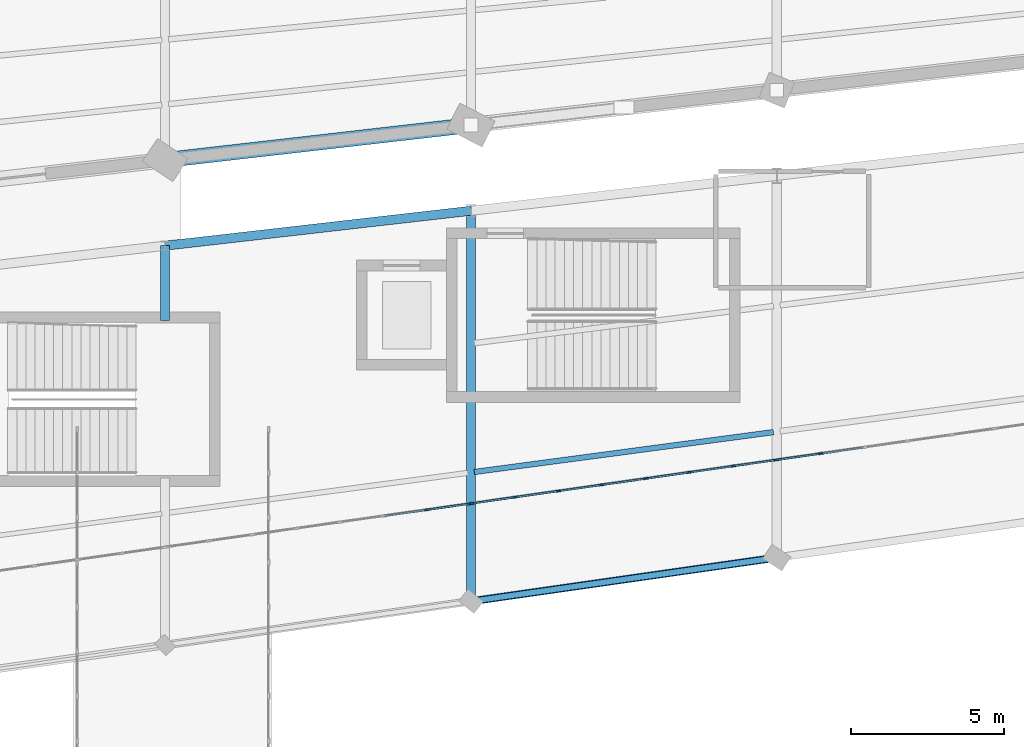
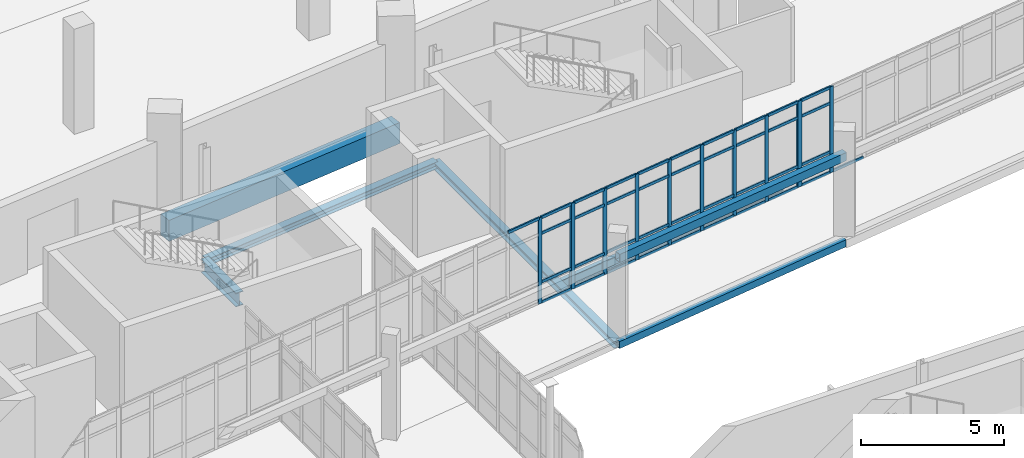
# One storey, part 65 of 122: 50 members, 7 beams, 3 elements without a shape of their own.
"""IFC4 building model written with IfcOpenShell, lengths in metres."""

from ifc_helpers import new_model, si_unit, direction, frame, origin, origin_2d, place, context, subcontext, project, spatial, rectangle, hollow_rectangle, i_section, extrude, material, layer, layer_set, material_profile, profile_set, type_object, element, aggregate, save


model = new_model("IFC4")

# Units and contexts
model_context = context("Model", 3, precision=1e-05, world=origin(), true_north=direction((0.0, 1.0)))
body_context = subcontext(model_context, "Body", "Model", "MODEL_VIEW")
ifc_project = project(units=[si_unit("LENGTHUNIT", "METRE"), si_unit("AREAUNIT", "SQUARE_METRE"), si_unit("VOLUMEUNIT", "CUBIC_METRE"), si_unit("PLANEANGLEUNIT", "RADIAN"), si_unit("MASSUNIT", "GRAM", prefix="KILO")], contexts=[model_context])

# Site, building, storey
site_placement = place(None, origin())
site = spatial("IfcSite", under=ifc_project, at=site_placement, CompositionType="ELEMENT")
building_placement = place(site_placement, origin())
building = spatial("IfcBuilding", under=site, at=building_placement, Name="Sohan Crest Arena", CompositionType="ELEMENT")
storey_placement = place(building_placement, origin())
storey = spatial("IfcBuildingStorey", under=building, at=storey_placement, Name="L00", CompositionType="ELEMENT", Elevation=0.0)

# Curtain wall, members
ifc_material_1 = material(Name="Thermally broken anodised aluminium", Category="aluminium")
ifc_layer = layer(ifc_material_1, 0.179931640625, Name="Thermally broken anodised aluminium")
ifc_layer_set = layer_set([ifc_layer], Name="Thermally broken anodised aluminium")
curtain_wall_type = type_object("IfcCurtainWallType", Name="ARC-CW01", PredefinedType="NOTDEFINED", material=ifc_layer_set)
curtain_wall_1_placement = place(storey_placement, origin())
curtain_wall_1 = element("IfcCurtainWall", 1, at=curtain_wall_1_placement, inside=storey, type_object=curtain_wall_type, Name="Unitised curtain wall CW-011", PredefinedType="NOTDEFINED")
ifc_material_profile_1 = material_profile(ifc_material_1, rectangle(XDim=0.06005859375, YDim=0.159912109375, at=origin_2d()), Name="ALU-MULL 60x160")
ifc_profile_set_1 = profile_set([ifc_material_profile_1], Name="Thermally broken anodised aluminium")
member_type_1 = type_object("IfcMemberType", Name="ARC-CW-ML01", PredefinedType="MULLION", material=ifc_profile_set_1)
member_1_placement = place(storey_placement, frame((146.571533203125, 40.138916015625, 0.0), z_axis=(0.0, 0.0, 1.0), x_axis=(-0.141462933734, 0.989943553128, 0.0)))
member_1 = element("IfcMember", 2, at=member_1_placement, type_object=member_type_1, Name="CW-011 mullion 7", PredefinedType="MULLION", context=body_context, shape_type="SweptSolid", body=[
    extrude(rectangle(XDim=0.06005859375, YDim=0.159912109375, at=origin_2d()), origin(), (0.0, 0.0, 1.0), 3.679931640625),
])
member_2_placement = place(storey_placement, frame((147.97021484375, 40.3388671875, 0.0), z_axis=(0.0, 0.0, 1.0), x_axis=(-0.141462933734, 0.989943553128, 0.0)))
member_2 = element("IfcMember", 3, at=member_2_placement, type_object=member_type_1, Name="CW-011 mullion 8", PredefinedType="MULLION", context=body_context, shape_type="SweptSolid", body=[
    extrude(rectangle(XDim=0.06005859375, YDim=0.159912109375, at=origin_2d()), origin(), (0.0, 0.0, 1.0), 3.679931640625),
])

curtain_wall_2_placement = place(storey_placement, origin())
curtain_wall_2 = element("IfcCurtainWall", 4, at=curtain_wall_2_placement, inside=storey, type_object=curtain_wall_type, Name="Unitised curtain wall CW-012", PredefinedType="NOTDEFINED")
member_3_placement = place(storey_placement, frame((148.02978515625, 40.34716796875, 0.0), z_axis=(0.0, 0.0, 1.0), x_axis=(-0.141365918403, 0.989957411768, 0.0)))
member_3 = element("IfcMember", 5, at=member_3_placement, type_object=member_type_1, Name="CW-012 mullion 1", PredefinedType="MULLION", context=body_context, shape_type="SweptSolid", body=[
    extrude(rectangle(XDim=0.06005859375, YDim=0.159912109375, at=origin_2d()), origin(), (0.0, 0.0, 1.0), 3.679931640625),
])
member_4_placement = place(storey_placement, frame((149.428466796875, 40.547119140625, 0.0), z_axis=(0.0, 0.0, 1.0), x_axis=(-0.141365918403, 0.989957411768, 0.0)))
member_4 = element("IfcMember", 6, at=member_4_placement, type_object=member_type_1, Name="CW-012 mullion 2", PredefinedType="MULLION", context=body_context, shape_type="SweptSolid", body=[
    extrude(rectangle(XDim=0.06005859375, YDim=0.159912109375, at=origin_2d()), origin(), (0.0, 0.0, 1.0), 3.679931640625),
])
member_5_placement = place(storey_placement, frame((150.857177734375, 40.7509765625, 0.0), z_axis=(0.0, 0.0, 1.0), x_axis=(-0.141365918403, 0.989957411768, 0.0)))
member_5 = element("IfcMember", 7, at=member_5_placement, type_object=member_type_1, Name="CW-012 mullion 3", PredefinedType="MULLION", context=body_context, shape_type="SweptSolid", body=[
    extrude(rectangle(XDim=0.06005859375, YDim=0.159912109375, at=origin_2d()), origin(), (0.0, 0.0, 1.0), 3.679931640625),
])
member_6_placement = place(storey_placement, frame((152.28564453125, 40.955078125, 0.0), z_axis=(0.0, 0.0, 1.0), x_axis=(-0.141365918403, 0.989957411768, 0.0)))
member_6 = element("IfcMember", 8, at=member_6_placement, type_object=member_type_1, Name="CW-012 mullion 4", PredefinedType="MULLION", context=body_context, shape_type="SweptSolid", body=[
    extrude(rectangle(XDim=0.06005859375, YDim=0.159912109375, at=origin_2d()), origin(), (0.0, 0.0, 1.0), 3.679931640625),
])
member_7_placement = place(storey_placement, frame((153.71435546875, 41.158935546875, 0.0), z_axis=(0.0, 0.0, 1.0), x_axis=(-0.141365918403, 0.989957411768, 0.0)))
member_7 = element("IfcMember", 9, at=member_7_placement, type_object=member_type_1, Name="CW-012 mullion 5", PredefinedType="MULLION", context=body_context, shape_type="SweptSolid", body=[
    extrude(rectangle(XDim=0.06005859375, YDim=0.159912109375, at=origin_2d()), origin(), (0.0, 0.0, 1.0), 3.679931640625),
])
member_8_placement = place(storey_placement, frame((155.142822265625, 41.363037109375, 0.0), z_axis=(0.0, 0.0, 1.0), x_axis=(-0.141365918403, 0.989957411768, 0.0)))
member_8 = element("IfcMember", 10, at=member_8_placement, type_object=member_type_1, Name="CW-012 mullion 6", PredefinedType="MULLION", context=body_context, shape_type="SweptSolid", body=[
    extrude(rectangle(XDim=0.06005859375, YDim=0.159912109375, at=origin_2d()), origin(), (0.0, 0.0, 1.0), 3.679931640625),
])
member_9_placement = place(storey_placement, frame((156.571533203125, 41.56689453125, 0.0), z_axis=(0.0, 0.0, 1.0), x_axis=(-0.141365918403, 0.989957411768, 0.0)))
member_9 = element("IfcMember", 11, at=member_9_placement, type_object=member_type_1, Name="CW-012 mullion 7", PredefinedType="MULLION", context=body_context, shape_type="SweptSolid", body=[
    extrude(rectangle(XDim=0.06005859375, YDim=0.159912109375, at=origin_2d()), origin(), (0.0, 0.0, 1.0), 3.679931640625),
])
member_10_placement = place(storey_placement, frame((157.97021484375, 41.766845703125, 0.0), z_axis=(0.0, 0.0, 1.0), x_axis=(-0.141365918403, 0.989957411768, 0.0)))
member_10 = element("IfcMember", 12, at=member_10_placement, type_object=member_type_1, Name="CW-012 mullion 8", PredefinedType="MULLION", context=body_context, shape_type="SweptSolid", body=[
    extrude(rectangle(XDim=0.06005859375, YDim=0.159912109375, at=origin_2d()), origin(), (0.0, 0.0, 1.0), 3.679931640625),
])

curtain_wall_3_placement = place(storey_placement, origin())
curtain_wall_3 = element("IfcCurtainWall", 13, at=curtain_wall_3_placement, inside=storey, type_object=curtain_wall_type, Name="Unitised curtain wall CW-013", PredefinedType="NOTDEFINED")
member_11_placement = place(storey_placement, frame((158.02978515625, 41.775146484375, 0.0), z_axis=(0.0, 0.0, 1.0), x_axis=(-0.141462933734, 0.989943553128, 0.0)))
member_11 = element("IfcMember", 14, at=member_11_placement, type_object=member_type_1, Name="CW-013 mullion 1", PredefinedType="MULLION", context=body_context, shape_type="SweptSolid", body=[
    extrude(rectangle(XDim=0.06005859375, YDim=0.159912109375, at=origin_2d()), origin(), (0.0, 0.0, 1.0), 3.679931640625),
])
member_12_placement = place(storey_placement, frame((159.428466796875, 41.97509765625, 0.0), z_axis=(0.0, 0.0, 1.0), x_axis=(-0.141462933734, 0.989943553128, 0.0)))
member_12 = element("IfcMember", 15, at=member_12_placement, type_object=member_type_1, Name="CW-013 mullion 2", PredefinedType="MULLION", context=body_context, shape_type="SweptSolid", body=[
    extrude(rectangle(XDim=0.06005859375, YDim=0.159912109375, at=origin_2d()), origin(), (0.0, 0.0, 1.0), 3.679931640625),
])

# Member
ifc_material_profile_2 = material_profile(ifc_material_1, rectangle(XDim=0.06005859375, YDim=0.1201171875, at=origin_2d()), Name="ALU-TRAN 60x120")
ifc_profile_set_2 = profile_set([ifc_material_profile_2], Name="Thermally broken anodised aluminium")
member_type_2 = type_object("IfcMemberType", Name="ARC-CW-TR01", PredefinedType="USERDEFINED", material=ifc_profile_set_2)
member_13_placement = place(storey_placement, frame((145.172607421875, 39.93896484375, 3.64990234375), z_axis=(0.989953023856, 0.141396642673, 0.0), x_axis=(-0.141396642673, 0.989953023856, 0.0)))
member_13 = element("IfcMember", 16, at=member_13_placement, type_object=member_type_2, Name="CW-011 transom 6.4", ObjectType="TRANSOM", PredefinedType="USERDEFINED", context=body_context, shape_type="SweptSolid", body=[
    extrude(rectangle(XDim=0.06005859375, YDim=0.1201171875, at=origin_2d()), origin(), (0.0, 0.0, 1.0), 1.383056640625),
])

member_14_placement = place(storey_placement, frame((146.60107421875, 40.14306640625, 0.030029296875), z_axis=(0.989945885007, 0.141446614515, 0.0), x_axis=(-0.141446614515, 0.989945885007, 0.0)))
member_14 = element("IfcMember", 17, at=member_14_placement, type_object=member_type_2, Name="CW-011 transom 7.1", ObjectType="TRANSOM", PredefinedType="USERDEFINED", context=body_context, shape_type="SweptSolid", body=[
    extrude(rectangle(XDim=0.06005859375, YDim=0.1201171875, at=origin_2d()), origin(), (0.0, 0.0, 1.0), 1.353271484375),
])

member_15_placement = place(storey_placement, frame((146.60107421875, 40.14306640625, 0.89990234375), z_axis=(0.989945885007, 0.141446614515, 0.0), x_axis=(-0.141446614515, 0.989945885007, 0.0)))
member_15 = element("IfcMember", 18, at=member_15_placement, type_object=member_type_2, Name="CW-011 transom 7.2", ObjectType="TRANSOM", PredefinedType="USERDEFINED", context=body_context, shape_type="SweptSolid", body=[
    extrude(rectangle(XDim=0.06005859375, YDim=0.1201171875, at=origin_2d()), origin(), (0.0, 0.0, 1.0), 1.353271484375),
])

member_16_placement = place(storey_placement, frame((146.60107421875, 40.14306640625, 2.97998046875), z_axis=(0.989945885007, 0.141446614515, 0.0), x_axis=(-0.141446614515, 0.989945885007, 0.0)))
member_16 = element("IfcMember", 19, at=member_16_placement, type_object=member_type_2, Name="CW-011 transom 7.3", ObjectType="TRANSOM", PredefinedType="USERDEFINED", context=body_context, shape_type="SweptSolid", body=[
    extrude(rectangle(XDim=0.06005859375, YDim=0.1201171875, at=origin_2d()), origin(), (0.0, 0.0, 1.0), 1.353271484375),
])

member_17_placement = place(storey_placement, frame((146.60107421875, 40.14306640625, 3.64990234375), z_axis=(0.989945885007, 0.141446614515, 0.0), x_axis=(-0.141446614515, 0.989945885007, 0.0)))
member_17 = element("IfcMember", 20, at=member_17_placement, type_object=member_type_2, Name="CW-011 transom 7.4", ObjectType="TRANSOM", PredefinedType="USERDEFINED", context=body_context, shape_type="SweptSolid", body=[
    extrude(rectangle(XDim=0.06005859375, YDim=0.1201171875, at=origin_2d()), origin(), (0.0, 0.0, 1.0), 1.353271484375),
])

aggregate(curtain_wall_1, [member_1, member_2, member_13, member_14, member_15, member_16, member_17])

member_18_placement = place(storey_placement, frame((148.059326171875, 40.3515625, 0.030029296875), z_axis=(0.989971132604, 0.141269800771, 0.0), x_axis=(-0.141269800771, 0.989971132604, 0.0)))
member_18 = element("IfcMember", 21, at=member_18_placement, type_object=member_type_2, Name="CW-012 transom 1.1", ObjectType="TRANSOM", PredefinedType="USERDEFINED", context=body_context, shape_type="SweptSolid", body=[
    extrude(rectangle(XDim=0.06005859375, YDim=0.1201171875, at=origin_2d()), origin(), (0.0, 0.0, 1.0), 1.353271484375),
])

member_19_placement = place(storey_placement, frame((148.059326171875, 40.3515625, 0.89990234375), z_axis=(0.989971132604, 0.141269800771, 0.0), x_axis=(-0.141269800771, 0.989971132604, 0.0)))
member_19 = element("IfcMember", 22, at=member_19_placement, type_object=member_type_2, Name="CW-012 transom 1.2", ObjectType="TRANSOM", PredefinedType="USERDEFINED", context=body_context, shape_type="SweptSolid", body=[
    extrude(rectangle(XDim=0.06005859375, YDim=0.1201171875, at=origin_2d()), origin(), (0.0, 0.0, 1.0), 1.353271484375),
])

member_20_placement = place(storey_placement, frame((148.059326171875, 40.3515625, 2.97998046875), z_axis=(0.989971132604, 0.141269800771, 0.0), x_axis=(-0.141269800771, 0.989971132604, 0.0)))
member_20 = element("IfcMember", 23, at=member_20_placement, type_object=member_type_2, Name="CW-012 transom 1.3", ObjectType="TRANSOM", PredefinedType="USERDEFINED", context=body_context, shape_type="SweptSolid", body=[
    extrude(rectangle(XDim=0.06005859375, YDim=0.1201171875, at=origin_2d()), origin(), (0.0, 0.0, 1.0), 1.353271484375),
])

member_21_placement = place(storey_placement, frame((148.059326171875, 40.3515625, 3.64990234375), z_axis=(0.989971132604, 0.141269800771, 0.0), x_axis=(-0.141269800771, 0.989971132604, 0.0)))
member_21 = element("IfcMember", 24, at=member_21_placement, type_object=member_type_2, Name="CW-012 transom 1.4", ObjectType="TRANSOM", PredefinedType="USERDEFINED", context=body_context, shape_type="SweptSolid", body=[
    extrude(rectangle(XDim=0.06005859375, YDim=0.1201171875, at=origin_2d()), origin(), (0.0, 0.0, 1.0), 1.353271484375),
])

member_22_placement = place(storey_placement, frame((149.458251953125, 40.55126953125, 0.030029296875), z_axis=(0.989953023856, 0.141396642673, 0.0), x_axis=(-0.141396642673, 0.989953023856, 0.0)))
member_22 = element("IfcMember", 25, at=member_22_placement, type_object=member_type_2, Name="CW-012 transom 2.1", ObjectType="TRANSOM", PredefinedType="USERDEFINED", context=body_context, shape_type="SweptSolid", body=[
    extrude(rectangle(XDim=0.06005859375, YDim=0.1201171875, at=origin_2d()), origin(), (0.0, 0.0, 1.0), 1.383056640625),
])

member_23_placement = place(storey_placement, frame((149.458251953125, 40.55126953125, 0.89990234375), z_axis=(0.989953023856, 0.141396642673, 0.0), x_axis=(-0.141396642673, 0.989953023856, 0.0)))
member_23 = element("IfcMember", 26, at=member_23_placement, type_object=member_type_2, Name="CW-012 transom 2.2", ObjectType="TRANSOM", PredefinedType="USERDEFINED", context=body_context, shape_type="SweptSolid", body=[
    extrude(rectangle(XDim=0.06005859375, YDim=0.1201171875, at=origin_2d()), origin(), (0.0, 0.0, 1.0), 1.383056640625),
])

member_24_placement = place(storey_placement, frame((149.458251953125, 40.55126953125, 2.97998046875), z_axis=(0.989953023856, 0.141396642673, 0.0), x_axis=(-0.141396642673, 0.989953023856, 0.0)))
member_24 = element("IfcMember", 27, at=member_24_placement, type_object=member_type_2, Name="CW-012 transom 2.3", ObjectType="TRANSOM", PredefinedType="USERDEFINED", context=body_context, shape_type="SweptSolid", body=[
    extrude(rectangle(XDim=0.06005859375, YDim=0.1201171875, at=origin_2d()), origin(), (0.0, 0.0, 1.0), 1.383056640625),
])

member_25_placement = place(storey_placement, frame((149.458251953125, 40.55126953125, 3.64990234375), z_axis=(0.989953023856, 0.141396642673, 0.0), x_axis=(-0.141396642673, 0.989953023856, 0.0)))
member_25 = element("IfcMember", 28, at=member_25_placement, type_object=member_type_2, Name="CW-012 transom 2.4", ObjectType="TRANSOM", PredefinedType="USERDEFINED", context=body_context, shape_type="SweptSolid", body=[
    extrude(rectangle(XDim=0.06005859375, YDim=0.1201171875, at=origin_2d()), origin(), (0.0, 0.0, 1.0), 1.383056640625),
])

member_26_placement = place(storey_placement, frame((150.886962890625, 40.755126953125, 0.030029296875), z_axis=(0.989953023856, 0.141396642673, 0.0), x_axis=(-0.141396642673, 0.989953023856, 0.0)))
member_26 = element("IfcMember", 29, at=member_26_placement, type_object=member_type_2, Name="CW-012 transom 3.1", ObjectType="TRANSOM", PredefinedType="USERDEFINED", context=body_context, shape_type="SweptSolid", body=[
    extrude(rectangle(XDim=0.06005859375, YDim=0.1201171875, at=origin_2d()), origin(), (0.0, 0.0, 1.0), 1.383056640625),
])

member_27_placement = place(storey_placement, frame((150.886962890625, 40.755126953125, 0.89990234375), z_axis=(0.989953023856, 0.141396642673, 0.0), x_axis=(-0.141396642673, 0.989953023856, 0.0)))
member_27 = element("IfcMember", 30, at=member_27_placement, type_object=member_type_2, Name="CW-012 transom 3.2", ObjectType="TRANSOM", PredefinedType="USERDEFINED", context=body_context, shape_type="SweptSolid", body=[
    extrude(rectangle(XDim=0.06005859375, YDim=0.1201171875, at=origin_2d()), origin(), (0.0, 0.0, 1.0), 1.383056640625),
])

member_28_placement = place(storey_placement, frame((150.886962890625, 40.755126953125, 2.97998046875), z_axis=(0.989953023856, 0.141396642673, 0.0), x_axis=(-0.141396642673, 0.989953023856, 0.0)))
member_28 = element("IfcMember", 31, at=member_28_placement, type_object=member_type_2, Name="CW-012 transom 3.3", ObjectType="TRANSOM", PredefinedType="USERDEFINED", context=body_context, shape_type="SweptSolid", body=[
    extrude(rectangle(XDim=0.06005859375, YDim=0.1201171875, at=origin_2d()), origin(), (0.0, 0.0, 1.0), 1.383056640625),
])

member_29_placement = place(storey_placement, frame((150.886962890625, 40.755126953125, 3.64990234375), z_axis=(0.989953023856, 0.141396642673, 0.0), x_axis=(-0.141396642673, 0.989953023856, 0.0)))
member_29 = element("IfcMember", 32, at=member_29_placement, type_object=member_type_2, Name="CW-012 transom 3.4", ObjectType="TRANSOM", PredefinedType="USERDEFINED", context=body_context, shape_type="SweptSolid", body=[
    extrude(rectangle(XDim=0.06005859375, YDim=0.1201171875, at=origin_2d()), origin(), (0.0, 0.0, 1.0), 1.383056640625),
])

member_30_placement = place(storey_placement, frame((152.3154296875, 40.959228515625, 0.030029296875), z_axis=(0.989953023856, 0.141396642673, 0.0), x_axis=(-0.141396642673, 0.989953023856, 0.0)))
member_30 = element("IfcMember", 33, at=member_30_placement, type_object=member_type_2, Name="CW-012 transom 4.1", ObjectType="TRANSOM", PredefinedType="USERDEFINED", context=body_context, shape_type="SweptSolid", body=[
    extrude(rectangle(XDim=0.06005859375, YDim=0.1201171875, at=origin_2d()), origin(), (0.0, 0.0, 1.0), 1.383056640625),
])

member_31_placement = place(storey_placement, frame((152.3154296875, 40.959228515625, 0.89990234375), z_axis=(0.989953023856, 0.141396642673, 0.0), x_axis=(-0.141396642673, 0.989953023856, 0.0)))
member_31 = element("IfcMember", 34, at=member_31_placement, type_object=member_type_2, Name="CW-012 transom 4.2", ObjectType="TRANSOM", PredefinedType="USERDEFINED", context=body_context, shape_type="SweptSolid", body=[
    extrude(rectangle(XDim=0.06005859375, YDim=0.1201171875, at=origin_2d()), origin(), (0.0, 0.0, 1.0), 1.383056640625),
])

member_32_placement = place(storey_placement, frame((152.3154296875, 40.959228515625, 2.97998046875), z_axis=(0.989953023856, 0.141396642673, 0.0), x_axis=(-0.141396642673, 0.989953023856, 0.0)))
member_32 = element("IfcMember", 35, at=member_32_placement, type_object=member_type_2, Name="CW-012 transom 4.3", ObjectType="TRANSOM", PredefinedType="USERDEFINED", context=body_context, shape_type="SweptSolid", body=[
    extrude(rectangle(XDim=0.06005859375, YDim=0.1201171875, at=origin_2d()), origin(), (0.0, 0.0, 1.0), 1.383056640625),
])

member_33_placement = place(storey_placement, frame((152.3154296875, 40.959228515625, 3.64990234375), z_axis=(0.989953023856, 0.141396642673, 0.0), x_axis=(-0.141396642673, 0.989953023856, 0.0)))
member_33 = element("IfcMember", 36, at=member_33_placement, type_object=member_type_2, Name="CW-012 transom 4.4", ObjectType="TRANSOM", PredefinedType="USERDEFINED", context=body_context, shape_type="SweptSolid", body=[
    extrude(rectangle(XDim=0.06005859375, YDim=0.1201171875, at=origin_2d()), origin(), (0.0, 0.0, 1.0), 1.383056640625),
])

member_34_placement = place(storey_placement, frame((153.743896484375, 41.163330078125, 0.030029296875), z_axis=(0.989977718646, 0.14122364032, 0.0), x_axis=(-0.14122364032, 0.989977718646, 0.0)))
member_34 = element("IfcMember", 37, at=member_34_placement, type_object=member_type_2, Name="CW-012 transom 5.1", ObjectType="TRANSOM", PredefinedType="USERDEFINED", context=body_context, shape_type="SweptSolid", body=[
    extrude(rectangle(XDim=0.06005859375, YDim=0.1201171875, at=origin_2d()), origin(), (0.0, 0.0, 1.0), 1.383056640625),
])

member_35_placement = place(storey_placement, frame((153.743896484375, 41.163330078125, 0.89990234375), z_axis=(0.989977718646, 0.14122364032, 0.0), x_axis=(-0.14122364032, 0.989977718646, 0.0)))
member_35 = element("IfcMember", 38, at=member_35_placement, type_object=member_type_2, Name="CW-012 transom 5.2", ObjectType="TRANSOM", PredefinedType="USERDEFINED", context=body_context, shape_type="SweptSolid", body=[
    extrude(rectangle(XDim=0.06005859375, YDim=0.1201171875, at=origin_2d()), origin(), (0.0, 0.0, 1.0), 1.383056640625),
])

member_36_placement = place(storey_placement, frame((153.743896484375, 41.163330078125, 2.97998046875), z_axis=(0.989977718646, 0.14122364032, 0.0), x_axis=(-0.14122364032, 0.989977718646, 0.0)))
member_36 = element("IfcMember", 39, at=member_36_placement, type_object=member_type_2, Name="CW-012 transom 5.3", ObjectType="TRANSOM", PredefinedType="USERDEFINED", context=body_context, shape_type="SweptSolid", body=[
    extrude(rectangle(XDim=0.06005859375, YDim=0.1201171875, at=origin_2d()), origin(), (0.0, 0.0, 1.0), 1.383056640625),
])

member_37_placement = place(storey_placement, frame((153.743896484375, 41.163330078125, 3.64990234375), z_axis=(0.989977718646, 0.14122364032, 0.0), x_axis=(-0.14122364032, 0.989977718646, 0.0)))
member_37 = element("IfcMember", 40, at=member_37_placement, type_object=member_type_2, Name="CW-012 transom 5.4", ObjectType="TRANSOM", PredefinedType="USERDEFINED", context=body_context, shape_type="SweptSolid", body=[
    extrude(rectangle(XDim=0.06005859375, YDim=0.1201171875, at=origin_2d()), origin(), (0.0, 0.0, 1.0), 1.383056640625),
])

member_38_placement = place(storey_placement, frame((155.172607421875, 41.3671875, 0.030029296875), z_axis=(0.989953023856, 0.141396642673, 0.0), x_axis=(-0.141396642673, 0.989953023856, 0.0)))
member_38 = element("IfcMember", 41, at=member_38_placement, type_object=member_type_2, Name="CW-012 transom 6.1", ObjectType="TRANSOM", PredefinedType="USERDEFINED", context=body_context, shape_type="SweptSolid", body=[
    extrude(rectangle(XDim=0.06005859375, YDim=0.1201171875, at=origin_2d()), origin(), (0.0, 0.0, 1.0), 1.383056640625),
])

member_39_placement = place(storey_placement, frame((155.172607421875, 41.3671875, 0.89990234375), z_axis=(0.989953023856, 0.141396642673, 0.0), x_axis=(-0.141396642673, 0.989953023856, 0.0)))
member_39 = element("IfcMember", 42, at=member_39_placement, type_object=member_type_2, Name="CW-012 transom 6.2", ObjectType="TRANSOM", PredefinedType="USERDEFINED", context=body_context, shape_type="SweptSolid", body=[
    extrude(rectangle(XDim=0.06005859375, YDim=0.1201171875, at=origin_2d()), origin(), (0.0, 0.0, 1.0), 1.383056640625),
])

member_40_placement = place(storey_placement, frame((155.172607421875, 41.3671875, 2.97998046875), z_axis=(0.989953023856, 0.141396642673, 0.0), x_axis=(-0.141396642673, 0.989953023856, 0.0)))
member_40 = element("IfcMember", 43, at=member_40_placement, type_object=member_type_2, Name="CW-012 transom 6.3", ObjectType="TRANSOM", PredefinedType="USERDEFINED", context=body_context, shape_type="SweptSolid", body=[
    extrude(rectangle(XDim=0.06005859375, YDim=0.1201171875, at=origin_2d()), origin(), (0.0, 0.0, 1.0), 1.383056640625),
])

member_41_placement = place(storey_placement, frame((155.172607421875, 41.3671875, 3.64990234375), z_axis=(0.989953023856, 0.141396642673, 0.0), x_axis=(-0.141396642673, 0.989953023856, 0.0)))
member_41 = element("IfcMember", 44, at=member_41_placement, type_object=member_type_2, Name="CW-012 transom 6.4", ObjectType="TRANSOM", PredefinedType="USERDEFINED", context=body_context, shape_type="SweptSolid", body=[
    extrude(rectangle(XDim=0.06005859375, YDim=0.1201171875, at=origin_2d()), origin(), (0.0, 0.0, 1.0), 1.383056640625),
])

member_42_placement = place(storey_placement, frame((156.60107421875, 41.5712890625, 0.030029296875), z_axis=(0.989971132604, 0.141269800771, 0.0), x_axis=(-0.141269800771, 0.989971132604, 0.0)))
member_42 = element("IfcMember", 45, at=member_42_placement, type_object=member_type_2, Name="CW-012 transom 7.1", ObjectType="TRANSOM", PredefinedType="USERDEFINED", context=body_context, shape_type="SweptSolid", body=[
    extrude(rectangle(XDim=0.06005859375, YDim=0.1201171875, at=origin_2d()), origin(), (0.0, 0.0, 1.0), 1.353271484375),
])

member_43_placement = place(storey_placement, frame((156.60107421875, 41.5712890625, 0.89990234375), z_axis=(0.989971132604, 0.141269800771, 0.0), x_axis=(-0.141269800771, 0.989971132604, 0.0)))
member_43 = element("IfcMember", 46, at=member_43_placement, type_object=member_type_2, Name="CW-012 transom 7.2", ObjectType="TRANSOM", PredefinedType="USERDEFINED", context=body_context, shape_type="SweptSolid", body=[
    extrude(rectangle(XDim=0.06005859375, YDim=0.1201171875, at=origin_2d()), origin(), (0.0, 0.0, 1.0), 1.353271484375),
])

member_44_placement = place(storey_placement, frame((156.60107421875, 41.5712890625, 2.97998046875), z_axis=(0.989971132604, 0.141269800771, 0.0), x_axis=(-0.141269800771, 0.989971132604, 0.0)))
member_44 = element("IfcMember", 47, at=member_44_placement, type_object=member_type_2, Name="CW-012 transom 7.3", ObjectType="TRANSOM", PredefinedType="USERDEFINED", context=body_context, shape_type="SweptSolid", body=[
    extrude(rectangle(XDim=0.06005859375, YDim=0.1201171875, at=origin_2d()), origin(), (0.0, 0.0, 1.0), 1.353271484375),
])

member_45_placement = place(storey_placement, frame((156.60107421875, 41.5712890625, 3.64990234375), z_axis=(0.989971132604, 0.141269800771, 0.0), x_axis=(-0.141269800771, 0.989971132604, 0.0)))
member_45 = element("IfcMember", 48, at=member_45_placement, type_object=member_type_2, Name="CW-012 transom 7.4", ObjectType="TRANSOM", PredefinedType="USERDEFINED", context=body_context, shape_type="SweptSolid", body=[
    extrude(rectangle(XDim=0.06005859375, YDim=0.1201171875, at=origin_2d()), origin(), (0.0, 0.0, 1.0), 1.353271484375),
])

aggregate(curtain_wall_2, [member_3, member_4, member_5, member_6, member_7, member_8, member_9, member_10, member_18, member_19, member_20, member_21, member_22, member_23, member_24, member_25, member_26, member_27, member_28, member_29, member_30, member_31, member_32, member_33, member_34, member_35, member_36, member_37, member_38, member_39, member_40, member_41, member_42, member_43, member_44, member_45])

member_46_placement = place(storey_placement, frame((158.059326171875, 41.779541015625, 0.030029296875), z_axis=(0.989945885007, 0.141446614515, 0.0), x_axis=(-0.141446614515, 0.989945885007, 0.0)))
member_46 = element("IfcMember", 49, at=member_46_placement, type_object=member_type_2, Name="CW-013 transom 1.1", ObjectType="TRANSOM", PredefinedType="USERDEFINED", context=body_context, shape_type="SweptSolid", body=[
    extrude(rectangle(XDim=0.06005859375, YDim=0.1201171875, at=origin_2d()), origin(), (0.0, 0.0, 1.0), 1.353271484375),
])

member_47_placement = place(storey_placement, frame((158.059326171875, 41.779541015625, 0.89990234375), z_axis=(0.989945885007, 0.141446614515, 0.0), x_axis=(-0.141446614515, 0.989945885007, 0.0)))
member_47 = element("IfcMember", 50, at=member_47_placement, type_object=member_type_2, Name="CW-013 transom 1.2", ObjectType="TRANSOM", PredefinedType="USERDEFINED", context=body_context, shape_type="SweptSolid", body=[
    extrude(rectangle(XDim=0.06005859375, YDim=0.1201171875, at=origin_2d()), origin(), (0.0, 0.0, 1.0), 1.353271484375),
])

member_48_placement = place(storey_placement, frame((158.059326171875, 41.779541015625, 2.97998046875), z_axis=(0.989945885007, 0.141446614515, 0.0), x_axis=(-0.141446614515, 0.989945885007, 0.0)))
member_48 = element("IfcMember", 51, at=member_48_placement, type_object=member_type_2, Name="CW-013 transom 1.3", ObjectType="TRANSOM", PredefinedType="USERDEFINED", context=body_context, shape_type="SweptSolid", body=[
    extrude(rectangle(XDim=0.06005859375, YDim=0.1201171875, at=origin_2d()), origin(), (0.0, 0.0, 1.0), 1.353271484375),
])

member_49_placement = place(storey_placement, frame((158.059326171875, 41.779541015625, 3.64990234375), z_axis=(0.989945885007, 0.141446614515, 0.0), x_axis=(-0.141446614515, 0.989945885007, 0.0)))
member_49 = element("IfcMember", 52, at=member_49_placement, type_object=member_type_2, Name="CW-013 transom 1.4", ObjectType="TRANSOM", PredefinedType="USERDEFINED", context=body_context, shape_type="SweptSolid", body=[
    extrude(rectangle(XDim=0.06005859375, YDim=0.1201171875, at=origin_2d()), origin(), (0.0, 0.0, 1.0), 1.353271484375),
])

member_50_placement = place(storey_placement, frame((159.458251953125, 41.9794921875, 0.030029296875), z_axis=(0.989953023856, 0.141396642673, 0.0), x_axis=(-0.141396642673, 0.989953023856, 0.0)))
member_50 = element("IfcMember", 53, at=member_50_placement, type_object=member_type_2, Name="CW-013 transom 2.1", ObjectType="TRANSOM", PredefinedType="USERDEFINED", context=body_context, shape_type="SweptSolid", body=[
    extrude(rectangle(XDim=0.06005859375, YDim=0.1201171875, at=origin_2d()), origin(), (0.0, 0.0, 1.0), 1.383056640625),
])

aggregate(curtain_wall_3, [member_11, member_12, member_46, member_47, member_48, member_49, member_50])

# Beams
ifc_material_2 = material(Name="Steel S355", Category="steel")
ifc_material_profile_3 = material_profile(ifc_material_2, i_section(OverallWidth=0.179931640625, OverallDepth=0.39990234375, WebThickness=0.008544921875, FlangeThickness=0.013427734375, at=origin_2d()), Name="IPE 400")
ifc_profile_set_3 = profile_set([ifc_material_profile_3], Name="Steel S355")
beam_type_1 = type_object("IfcBeamType", Name="STR-BM-B03", PredefinedType="JOIST", material=ifc_profile_set_3)
beam_1_placement = place(storey_placement, frame((148.10888671875, 41.3720703125, -0.47509765625), z_axis=(0.991232437337, 0.132129690721, 0.0), x_axis=(-0.132129690721, 0.991232437337, 0.0)))
element("IfcBeam", 54, at=beam_1_placement, inside=storey, type_object=beam_type_1, Name="Structural beam J-L00-0995", PredefinedType="JOIST", context=body_context, shape_type="SweptSolid", body=[
    extrude(i_section(OverallWidth=0.179931640625, OverallDepth=0.39990234375, WebThickness=0.008544921875, FlangeThickness=0.013427734375, at=origin_2d()), origin(), (0.0, 0.0, 1.0), 9.86865234375),
])
ifc_material_profile_4 = material_profile(ifc_material_2, i_section(OverallWidth=0.300048828125, OverallDepth=0.590087890625, WebThickness=0.012939453125, FlangeThickness=0.02490234375, at=origin_2d()), Name="HEA 600")
ifc_profile_set_4 = profile_set([ifc_material_profile_4], Name="Steel S355")
beam_type_2 = type_object("IfcBeamType", Name="STR-BM-B11", PredefinedType="BEAM", material=ifc_profile_set_4)
beam_2_placement = place(storey_placement, frame((138.0, 48.77099609375, -0.570068359375), z_axis=(0.0, -1.0, 0.0), x_axis=(1.0, 0.0, 0.0)))
element("IfcBeam", 55, at=beam_2_placement, inside=storey, type_object=beam_type_2, Name="Structural beam G-L00-0984", PredefinedType="BEAM", context=body_context, shape_type="SweptSolid", body=[
    extrude(i_section(OverallWidth=0.300048828125, OverallDepth=0.590087890625, WebThickness=0.012939453125, FlangeThickness=0.02490234375, at=origin_2d()), origin(), (0.0, 0.0, 1.0), 2.44091796875),
])
ifc_material_profile_5 = material_profile(ifc_material_2, i_section(OverallWidth=0.300048828125, OverallDepth=0.300048828125, WebThickness=0.010986328125, FlangeThickness=0.01904296875, at=origin_2d()), Name="HEB 300")
ifc_profile_set_5 = profile_set([ifc_material_profile_5], Name="Steel S355")
beam_type_3 = type_object("IfcBeamType", Name="STR-BM-B12", PredefinedType="BEAM", material=ifc_profile_set_5)
beam_3_placement = place(storey_placement, frame((138.0, 48.77099609375, -0.425048828125), z_axis=(0.99353032697, 0.113567114035, 0.0), x_axis=(-0.113567114035, 0.99353032697, 0.0)))
element("IfcBeam", 56, at=beam_3_placement, inside=storey, type_object=beam_type_3, Name="Structural beam G-L00-0986", PredefinedType="BEAM", context=body_context, shape_type="SweptSolid", body=[
    extrude(i_section(OverallWidth=0.300048828125, OverallDepth=0.300048828125, WebThickness=0.010986328125, FlangeThickness=0.01904296875, at=origin_2d()), origin(), (0.0, 0.0, 1.0), 10.065185546875),
])
beam_4_placement = place(storey_placement, frame((148.0, 49.9140625, -0.425048828125), z_axis=(0.0, -1.0, 0.0), x_axis=(1.0, 0.0, 0.0)))
element("IfcBeam", 57, at=beam_4_placement, inside=storey, type_object=beam_type_3, Name="Structural beam G-L00-0990", PredefinedType="BEAM", context=body_context, shape_type="SweptSolid", body=[
    extrude(i_section(OverallWidth=0.300048828125, OverallDepth=0.300048828125, WebThickness=0.010986328125, FlangeThickness=0.01904296875, at=origin_2d()), origin(), (0.0, 0.0, 1.0), 12.77099609375),
])
ifc_material_profile_6 = material_profile(ifc_material_2, hollow_rectangle(XDim=0.199951171875, YDim=0.300048828125, WallThickness=0.010009765625, at=origin_2d()), Name="RHS 300x200x10")
ifc_profile_set_6 = profile_set([ifc_material_profile_6], Name="Steel S355")
beam_type_4 = type_object("IfcBeamType", Name="STR-BM-SP03", PredefinedType="SPANDREL", material=ifc_profile_set_6)
beam_5_placement = place(storey_placement, frame((148.0, 37.14306640625, -0.425048828125), z_axis=(0.989957709412, 0.141363834042, 0.0), x_axis=(-0.141363834042, 0.989957709412, 0.0)))
element("IfcBeam", 58, at=beam_5_placement, inside=storey, type_object=beam_type_4, Name="Structural beam SP-L00-0992", PredefinedType="SPANDREL", context=body_context, shape_type="SweptSolid", body=[
    extrude(hollow_rectangle(XDim=0.199951171875, YDim=0.300048828125, WallThickness=0.010009765625, at=origin_2d()), origin(), (0.0, 0.0, 1.0), 10.1015625),
])
ifc_material_profile_7 = material_profile(ifc_material_2, hollow_rectangle(XDim=0.25, YDim=0.35009765625, WallThickness=0.012451171875, at=origin_2d()), Name="RHS 350x250x12.5")
ifc_profile_set_7 = profile_set([ifc_material_profile_7], Name="Steel S355")
beam_type_5 = type_object("IfcBeamType", Name="STR-BM-SP04", PredefinedType="SPANDREL", material=ifc_profile_set_7)
beam_6_placement = place(storey_placement, frame((148.0, 37.14306640625, 3.300048828125), z_axis=(0.989957709412, 0.141363834042, 0.0), x_axis=(-0.141363834042, 0.989957709412, 0.0)))
element("IfcBeam", 59, at=beam_6_placement, inside=storey, type_object=beam_type_5, Name="Structural beam ARC-L00-0993", PredefinedType="SPANDREL", context=body_context, shape_type="SweptSolid", body=[
    extrude(hollow_rectangle(XDim=0.25, YDim=0.35009765625, WallThickness=0.012451171875, at=origin_2d()), origin(), (0.0, 0.0, 1.0), 10.1015625),
])
ifc_material_3 = material(Name="Concrete C40/50", Category="concrete")
ifc_material_profile_8 = material_profile(ifc_material_3, rectangle(XDim=0.5, YDim=0.89990234375, at=origin_2d()), Name="RC-BM 500x900")
ifc_profile_set_8 = profile_set([ifc_material_profile_8], Name="Concrete C40/50")
beam_type_6 = type_object("IfcBeamType", Name="STR-BM-TB03", PredefinedType="BEAM", material=ifc_profile_set_8)
beam_7_placement = place(storey_placement, frame((138.0, 51.571044921875, -0.699951171875), z_axis=(0.99353032697, 0.113567114035, 0.0), x_axis=(-0.113567114035, 0.99353032697, 0.0)))
element("IfcBeam", 60, at=beam_7_placement, inside=storey, type_object=beam_type_6, Name="Structural beam TB-L00-0412", PredefinedType="BEAM", context=body_context, shape_type="SweptSolid", body=[
    extrude(rectangle(XDim=0.5, YDim=0.89990234375, at=origin_2d()), origin(), (0.0, 0.0, 1.0), 10.065185546875),
])

save(model, "model.ifc")
